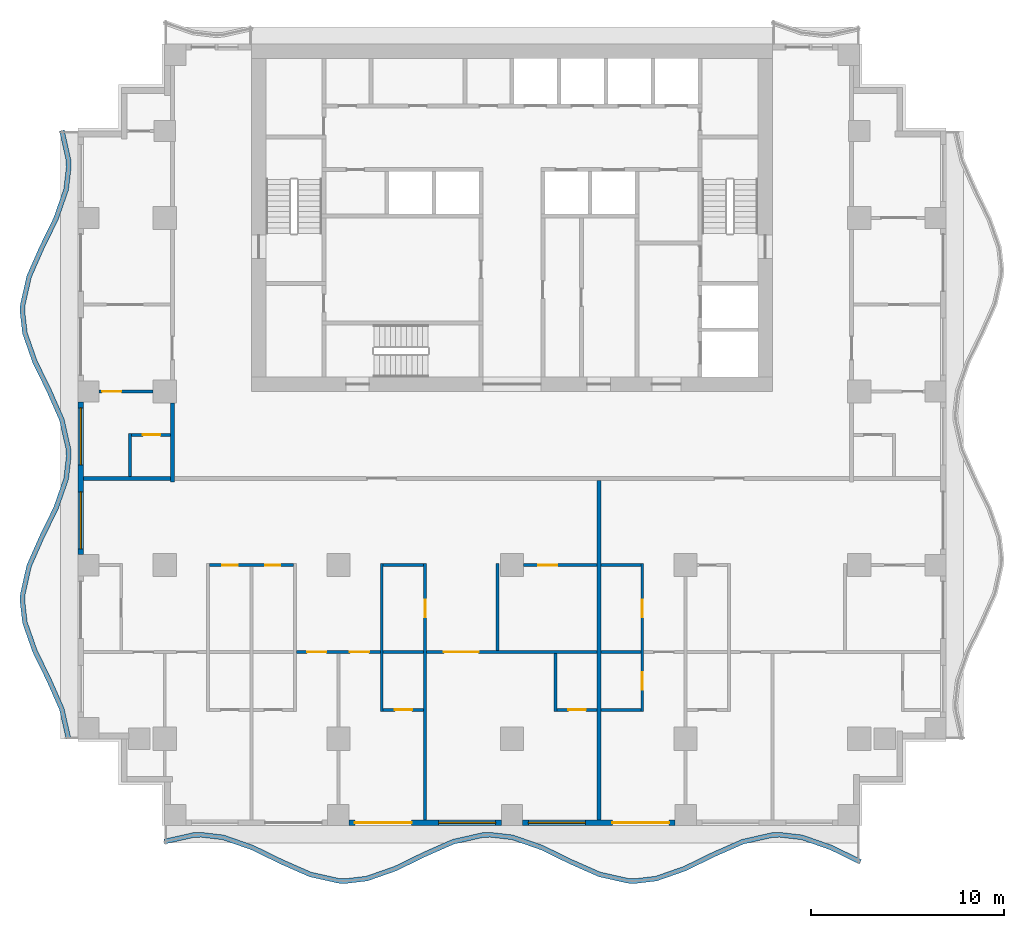
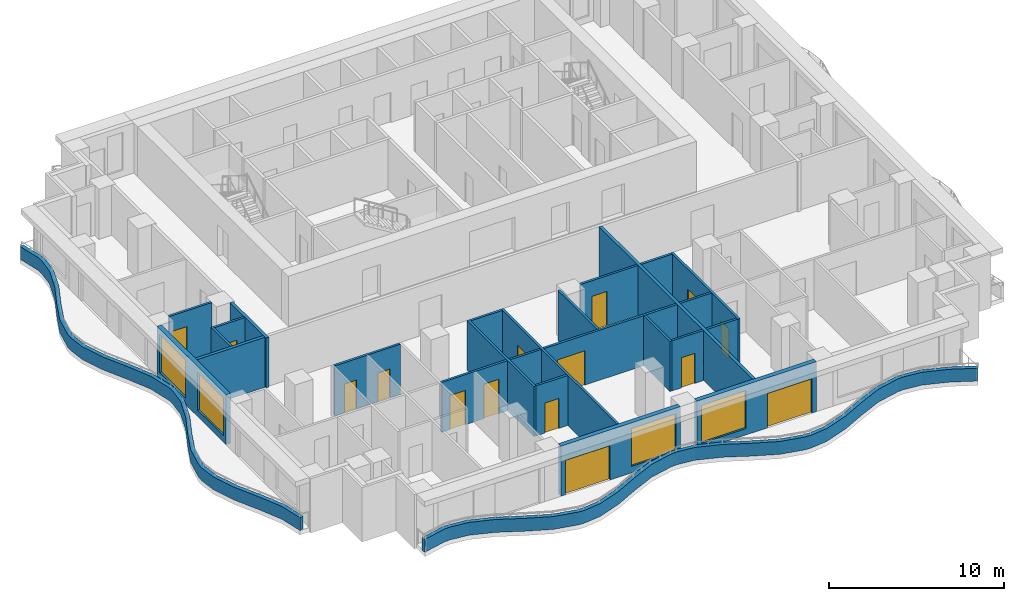
# One storey, part 2 of 10: 27 walls, 15 doors, 4 windows, 19 openings.
"""IFC4 building model written with IfcOpenShell, lengths in metres."""

from ifc_helpers import new_model, si_unit, direction, frame, frame_2d, origin, place, context, subcontext, project, spatial, polyline, rectangle, outline, extrude, material, layer, layer_set, type_object, element, fill, save


model = new_model("IFC4")

# Units and contexts
model_context = context("Model", 3, precision=1e-05, world=origin(), true_north=direction((0.0, 1.0)))
body_context = subcontext(model_context, "Body", "Model", "MODEL_VIEW")
ifc_project = project(units=[si_unit("LENGTHUNIT", "METRE"), si_unit("AREAUNIT", "SQUARE_METRE"), si_unit("VOLUMEUNIT", "CUBIC_METRE"), si_unit("PLANEANGLEUNIT", "RADIAN"), si_unit("MASSUNIT", "GRAM", prefix="KILO")], contexts=[model_context])

# Site, building, storey
site_placement = place(None, origin())
site = spatial("IfcSite", under=ifc_project, at=site_placement, CompositionType="ELEMENT")
building_placement = place(site_placement, origin())
building = spatial("IfcBuilding", under=site, at=building_placement, Name="Orbiselva Terraces", CompositionType="ELEMENT")
storey_placement = place(building_placement, frame((0.0, 0.0, 163.0)))
storey = spatial("IfcBuildingStorey", under=building, at=storey_placement, Name="L41", CompositionType="ELEMENT", Elevation=163.0)

# Walls
ifc_material_1 = material(Name="Concrete C40/50", Category="concrete")
ifc_layer_1 = layer(ifc_material_1, 0.25)
ifc_layer_set_1 = layer_set([ifc_layer_1], Name="Concrete C40/50")
wall_type_1 = type_object("IfcWallType", Name="ENV-PLANTER-250x900", PredefinedType="USERDEFINED", material=ifc_layer_set_1)
wall_1_placement = place(storey_placement, origin())
element("IfcWall", 1, at=wall_1_placement, inside=storey, type_object=wall_type_1, Name="Balcony planter L41 S", ObjectType="PLANTER", PredefinedType="USERDEFINED", context=body_context, shape_type="SweptSolid", body=[
    extrude(outline(polyline([(-18.0, -18.951472), (-16.5, -18.614774), (-16.125, -18.6), (-15.0, -18.730792), (-13.5, -19.255211), (-12.0, -19.987721), (-10.5, -20.648528), (-9.0, -20.985226), (-8.625, -21.0), (-7.5, -20.869208), (-6.0, -20.344789), (-4.5, -19.612279), (-3.0, -18.951472), (-1.5, -18.614774), (-1.125, -18.6), (0.0, -18.730792), (1.5, -19.255211), (3.0, -19.987721), (4.5, -20.648528), (6.0, -20.985226), (6.375, -21.0), (7.5, -20.869208), (9.0, -20.344789), (10.5, -19.612279), (12.0, -18.951472), (13.5, -18.614774), (13.875, -18.6), (15.0, -18.730792), (16.5, -19.255211), (18.0, -19.987721), (18.109703, -19.763076), (16.59644, -19.024089), (15.056371, -18.485662), (13.884572, -18.349429), (13.467435, -18.365863), (11.921492, -18.712874), (10.394714, -19.385477), (8.90356, -20.113667), (7.443629, -20.624078), (6.365428, -20.749429), (6.032565, -20.736315), (4.578508, -20.40993), (3.105286, -19.760919), (1.59644, -19.024089), (0.056371, -18.485662), (-1.115428, -18.349429), (-1.532565, -18.365863), (-3.078508, -18.712874), (-4.605286, -19.385477), (-6.09644, -20.113667), (-7.556371, -20.624078), (-8.634572, -20.749429), (-8.967435, -20.736315), (-10.421492, -20.40993), (-11.894714, -19.760919), (-13.40356, -19.024089), (-14.943629, -18.485662), (-16.115428, -18.349429), (-16.532565, -18.365863), (-18.054754, -18.707542), (-18.0, -18.951472)])), origin(), (0.0, 0.0, 1.0), 0.9),
])
wall_2_placement = place(storey_placement, origin())
element("IfcWall", 2, at=wall_2_placement, inside=storey, type_object=wall_type_1, Name="Balcony planter L41 W", ObjectType="PLANTER", PredefinedType="USERDEFINED", context=body_context, shape_type="SweptSolid", body=[
    extrude(outline(polyline([(-23.451472, 18.0), (-23.114774, 16.5), (-23.1, 16.125), (-23.230792, 15.0), (-23.755211, 13.5), (-24.487721, 12.0), (-25.148528, 10.5), (-25.485226, 9.0), (-25.5, 8.625), (-25.369208, 7.5), (-24.844789, 6.0), (-24.112279, 4.5), (-23.451472, 3.0), (-23.114774, 1.5), (-23.1, 1.125), (-23.230792, 0.0), (-23.755211, -1.5), (-24.487721, -3.0), (-25.148528, -4.5), (-25.485226, -6.0), (-25.5, -6.375), (-25.369208, -7.5), (-24.844789, -9.0), (-24.112279, -10.5), (-23.451472, -12.0), (-23.114774, -13.5), (-22.870844, -13.445246), (-23.212874, -11.921492), (-23.885477, -10.394714), (-24.613667, -8.90356), (-25.124078, -7.443629), (-25.249429, -6.365428), (-25.236315, -6.032565), (-24.90993, -4.578508), (-24.260919, -3.105286), (-23.524089, -1.59644), (-22.985662, -0.056371), (-22.849429, 1.115428), (-22.865863, 1.532565), (-23.212874, 3.078508), (-23.885477, 4.605286), (-24.613667, 6.09644), (-25.124078, 7.556371), (-25.249429, 8.634572), (-25.236315, 8.967435), (-24.90993, 10.421492), (-24.260919, 11.894714), (-23.524089, 13.40356), (-22.985662, 14.943629), (-22.849429, 16.115428), (-22.865863, 16.532565), (-23.207542, 18.054754), (-23.451472, 18.0)])), origin(), (0.0, 0.0, 1.0), 0.9),
])

# Wall, openings, door, window
ifc_material_2 = material(Name="Terracotta cladding on masonry backing", Category="masonry")
ifc_layer_2 = layer(ifc_material_2, 0.3)
ifc_layer_set_2 = layer_set([ifc_layer_2], Name="Terracotta cladding on masonry backing")
wall_type_2 = type_object("IfcWallType", Name="ENV-WALL-TERRACOTTA-300", PredefinedType="SOLIDWALL", material=ifc_layer_set_2)
wall_3_placement = place(storey_placement, frame((-0.55, -17.85, 0.0), z_axis=(0.0, 0.0, 1.0), x_axis=(-1.0, 0.0, 0.0)))
wall_3 = element("IfcWall", 3, at=wall_3_placement, inside=storey, type_object=wall_type_2, Name="Facade wall L41 S", PredefinedType="SOLIDWALL", context=body_context, shape_type="SweptSolid", body=[
    extrude(rectangle(XDim=7.9, YDim=0.3, at=frame_2d((3.95, 0.0))), origin(), (0.0, 0.0, 1.0), 3.5),
])
opening_1_placement = place(wall_3_placement, frame((4.65, 0.0, 0.0)))
opening_1 = element("IfcOpeningElement", 4, at=opening_1_placement, cuts=wall_3, Name="Opening Z3-D-E01", PredefinedType="OPENING", context=body_context, shape_type="SweptSolid", body=[
    extrude(rectangle(XDim=2.95, YDim=2.4, at=frame_2d((1.475, 1.2))), frame((0.0, 0.16, 0.0), z_axis=(0.0, -1.0, 0.0), x_axis=(1.0, 0.0, 0.0)), (0.0, 0.0, 1.0), 0.32),
])
opening_2_placement = place(wall_3_placement, frame((0.3, 0.0, 0.45)))
opening_2 = element("IfcOpeningElement", 5, at=opening_2_placement, cuts=wall_3, Name="Opening WN12", PredefinedType="OPENING", context=body_context, shape_type="SweptSolid", body=[
    extrude(rectangle(XDim=2.95, YDim=2.65, at=frame_2d((1.475, 1.325))), frame((0.0, 0.16, 0.0), z_axis=(0.0, -1.0, 0.0), x_axis=(1.0, 0.0, 0.0)), (0.0, 0.0, 1.0), 0.32),
])
ifc_material_3 = material(Name="Clear low-e glazing in aluminium frame", Category="aluminium")
door_type_1 = type_object("IfcDoorType", Name="BALCONY DOOR 2950 X 2400", OperationType="DOUBLE_DOOR_SLIDING", PredefinedType="DOOR", material=ifc_material_3)
door_1_placement = place(opening_1_placement, origin())
door_1 = element("IfcDoor", 6, at=door_1_placement, inside=storey, type_object=door_type_1, Name="Z3-D-E01", OperationType="SINGLE_SWING_LEFT", OverallHeight=2.4, OverallWidth=2.95, PredefinedType="DOOR", context=body_context, shape_type="SweptSolid", body=[
    extrude(rectangle(XDim=2.95, YDim=2.4, at=frame_2d((1.475, 1.2))), frame((0.0, 0.025, 0.0), z_axis=(0.0, -1.0, 0.0), x_axis=(1.0, 0.0, 0.0)), (0.0, 0.0, 1.0), 0.05),
])
fill(opening_1, door_1)
window_type = type_object("IfcWindowType", Name="WINDOW 2950 X 2650 S450", PartitioningType="TRIPLE_PANEL_VERTICAL", PredefinedType="WINDOW", material=ifc_material_3)
window_1_placement = place(opening_2_placement, origin())
window_1 = element("IfcWindow", 7, at=window_1_placement, inside=storey, type_object=window_type, Name="Window L41 S", OverallHeight=2.65, OverallWidth=2.95, PartitioningType="SINGLE_PANEL", PredefinedType="WINDOW", context=body_context, shape_type="SweptSolid", body=[
    extrude(rectangle(XDim=2.95, YDim=2.65, at=frame_2d((1.475, 1.325))), frame((0.0, 0.03, 0.0), z_axis=(0.0, -1.0, 0.0), x_axis=(1.0, 0.0, 0.0)), (0.0, 0.0, 1.0), 0.06),
])
fill(opening_2, window_1)

wall_4_placement = place(storey_placement, frame((8.45, -17.85, 0.0), z_axis=(0.0, 0.0, 1.0), x_axis=(-1.0, 0.0, 0.0)))
wall_4 = element("IfcWall", 8, at=wall_4_placement, inside=storey, type_object=wall_type_2, Name="Facade wall L41 S", PredefinedType="SOLIDWALL", context=body_context, shape_type="SweptSolid", body=[
    extrude(rectangle(XDim=7.9, YDim=0.3, at=frame_2d((3.95, 0.0))), origin(), (0.0, 0.0, 1.0), 3.5),
])
opening_3_placement = place(wall_4_placement, frame((4.65, 0.0, 0.45)))
opening_3 = element("IfcOpeningElement", 9, at=opening_3_placement, cuts=wall_4, Name="Opening WN12", PredefinedType="OPENING", context=body_context, shape_type="SweptSolid", body=[
    extrude(rectangle(XDim=2.95, YDim=2.65, at=frame_2d((1.475, 1.325))), frame((0.0, 0.16, 0.0), z_axis=(0.0, -1.0, 0.0), x_axis=(1.0, 0.0, 0.0)), (0.0, 0.0, 1.0), 0.32),
])
opening_4_placement = place(wall_4_placement, frame((0.3, 0.0, 0.0)))
opening_4 = element("IfcOpeningElement", 10, at=opening_4_placement, cuts=wall_4, Name="Opening Z3-D-E02", PredefinedType="OPENING", context=body_context, shape_type="SweptSolid", body=[
    extrude(rectangle(XDim=2.95, YDim=2.4, at=frame_2d((1.475, 1.2))), frame((0.0, 0.16, 0.0), z_axis=(0.0, -1.0, 0.0), x_axis=(1.0, 0.0, 0.0)), (0.0, 0.0, 1.0), 0.32),
])
door_2_placement = place(opening_4_placement, origin())
door_2 = element("IfcDoor", 11, at=door_2_placement, inside=storey, type_object=door_type_1, Name="Z3-D-E02", OperationType="SINGLE_SWING_LEFT", OverallHeight=2.4, OverallWidth=2.95, PredefinedType="DOOR", context=body_context, shape_type="SweptSolid", body=[
    extrude(rectangle(XDim=2.95, YDim=2.4, at=frame_2d((1.475, 1.2))), frame((0.0, 0.025, 0.0), z_axis=(0.0, -1.0, 0.0), x_axis=(1.0, 0.0, 0.0)), (0.0, 0.0, 1.0), 0.05),
])
fill(opening_4, door_2)
window_2_placement = place(opening_3_placement, origin())
window_2 = element("IfcWindow", 12, at=window_2_placement, inside=storey, type_object=window_type, Name="Window L41 S", OverallHeight=2.65, OverallWidth=2.95, PartitioningType="SINGLE_PANEL", PredefinedType="WINDOW", context=body_context, shape_type="SweptSolid", body=[
    extrude(rectangle(XDim=2.95, YDim=2.65, at=frame_2d((1.475, 1.325))), frame((0.0, 0.03, 0.0), z_axis=(0.0, -1.0, 0.0), x_axis=(1.0, 0.0, 0.0)), (0.0, 0.0, 1.0), 0.06),
])
fill(opening_3, window_2)

# Wall, openings, windows
wall_5_placement = place(storey_placement, frame((-22.35, -3.95, 0.0), z_axis=(0.0, 0.0, 1.0), x_axis=(0.0, 1.0, 0.0)))
wall_5 = element("IfcWall", 13, at=wall_5_placement, inside=storey, type_object=wall_type_2, Name="Facade wall L41 W", PredefinedType="SOLIDWALL", context=body_context, shape_type="SweptSolid", body=[
    extrude(rectangle(XDim=7.9, YDim=0.3, at=frame_2d((3.95, 0.0))), origin(), (0.0, 0.0, 1.0), 3.5),
])
opening_5_placement = place(wall_5_placement, frame((4.65, 0.0, 0.45)))
opening_5 = element("IfcOpeningElement", 14, at=opening_5_placement, cuts=wall_5, Name="Opening WN12", PredefinedType="OPENING", context=body_context, shape_type="SweptSolid", body=[
    extrude(rectangle(XDim=2.95, YDim=2.65, at=frame_2d((1.475, 1.325))), frame((0.0, 0.16, 0.0), z_axis=(0.0, -1.0, 0.0), x_axis=(1.0, 0.0, 0.0)), (0.0, 0.0, 1.0), 0.32),
])
opening_6_placement = place(wall_5_placement, frame((0.3, 0.0, 0.45)))
opening_6 = element("IfcOpeningElement", 15, at=opening_6_placement, cuts=wall_5, Name="Opening WN12", PredefinedType="OPENING", context=body_context, shape_type="SweptSolid", body=[
    extrude(rectangle(XDim=2.95, YDim=2.65, at=frame_2d((1.475, 1.325))), frame((0.0, 0.16, 0.0), z_axis=(0.0, -1.0, 0.0), x_axis=(1.0, 0.0, 0.0)), (0.0, 0.0, 1.0), 0.32),
])
window_3_placement = place(opening_5_placement, origin())
window_3 = element("IfcWindow", 16, at=window_3_placement, inside=storey, type_object=window_type, Name="Window L41 W", OverallHeight=2.65, OverallWidth=2.95, PartitioningType="SINGLE_PANEL", PredefinedType="WINDOW", context=body_context, shape_type="SweptSolid", body=[
    extrude(rectangle(XDim=2.95, YDim=2.65, at=frame_2d((1.475, 1.325))), frame((0.0, 0.03, 0.0), z_axis=(0.0, -1.0, 0.0), x_axis=(1.0, 0.0, 0.0)), (0.0, 0.0, 1.0), 0.06),
])
fill(opening_5, window_3)
window_4_placement = place(opening_6_placement, origin())
window_4 = element("IfcWindow", 17, at=window_4_placement, inside=storey, type_object=window_type, Name="Window L41 W", OverallHeight=2.65, OverallWidth=2.95, PartitioningType="SINGLE_PANEL", PredefinedType="WINDOW", context=body_context, shape_type="SweptSolid", body=[
    extrude(rectangle(XDim=2.95, YDim=2.65, at=frame_2d((1.475, 1.325))), frame((0.0, 0.03, 0.0), z_axis=(0.0, -1.0, 0.0), x_axis=(1.0, 0.0, 0.0)), (0.0, 0.0, 1.0), 0.06),
])
fill(opening_6, window_4)

# Wall
ifc_material_4 = material(Name="Plasterboard on steel stud partition", Category="steel")
ifc_layer_3 = layer(ifc_material_4, 0.2)
ifc_layer_set_3 = layer_set([ifc_layer_3], Name="Plasterboard on steel stud partition")
wall_type_3 = type_object("IfcWallType", Name="UNIT-ENTRANCE-WALL-200", PredefinedType="PARTITIONING", material=ifc_layer_set_3)
wall_6_placement = place(storey_placement, frame((-17.6, -0.2, 0.0), z_axis=(0.0, 0.0, 1.0), x_axis=(0.0, 1.0, 0.0)))
element("IfcWall", 18, at=wall_6_placement, inside=storey, type_object=wall_type_3, Name="PARTITION L41-040", PredefinedType="PARTITIONING", context=body_context, shape_type="SweptSolid", body=[
    extrude(rectangle(XDim=4.1, YDim=0.2, at=frame_2d((2.05, 0.0))), origin(), (0.0, 0.0, 1.0), 3.5),
])

# Wall, opening, door
ifc_layer_4 = layer(ifc_material_4, 0.15)
ifc_layer_set_4 = layer_set([ifc_layer_4], Name="Plasterboard on steel stud partition")
wall_type_4 = type_object("IfcWallType", Name="UNIT-PARTITION-150", PredefinedType="PARTITIONING", material=ifc_layer_set_4)
wall_7_placement = place(storey_placement, frame((-6.675, -12.0, 0.0), z_axis=(0.0, 0.0, 1.0), x_axis=(1.0, 0.0, 0.0)))
wall_7 = element("IfcWall", 19, at=wall_7_placement, inside=storey, type_object=wall_type_4, Name="PARTITION L41-003", PredefinedType="PARTITIONING", context=body_context, shape_type="SweptSolid", body=[
    extrude(rectangle(XDim=2.1, YDim=0.15, at=frame_2d((1.05, 0.0))), origin(), (0.0, 0.0, 1.0), 3.5),
])
opening_7_placement = place(wall_7_placement, frame((0.6, 0.0, 0.0)))
opening_7 = element("IfcOpeningElement", 20, at=opening_7_placement, cuts=wall_7, Name="Opening Z3-D-20", PredefinedType="OPENING", context=body_context, shape_type="SweptSolid", body=[
    extrude(rectangle(XDim=0.9, YDim=2.1, at=frame_2d((0.45, 1.05))), frame((0.0, 0.085, 0.0), z_axis=(0.0, -1.0, 0.0), x_axis=(1.0, 0.0, 0.0)), (0.0, 0.0, 1.0), 0.17),
])
ifc_material_5 = material(Name="Painted timber door leaf", Category="wood")
door_type_2 = type_object("IfcDoorType", Name="BATH DOOR 900", OperationType="NOTDEFINED", PredefinedType="DOOR", material=ifc_material_5)
door_3_placement = place(opening_7_placement, origin())
door_3 = element("IfcDoor", 21, at=door_3_placement, inside=storey, type_object=door_type_2, Name="Z3-D-20", OperationType="SINGLE_SWING_LEFT", OverallHeight=2.1, OverallWidth=0.9, PredefinedType="DOOR", context=body_context, shape_type="SweptSolid", body=[
    extrude(rectangle(XDim=0.9, YDim=2.1, at=frame_2d((0.45, 1.05))), frame((0.0, 0.025, 0.0), z_axis=(0.0, -1.0, 0.0), x_axis=(1.0, 0.0, 0.0)), (0.0, 0.0, 1.0), 0.05),
])
fill(opening_7, door_3)

wall_8_placement = place(storey_placement, frame((2.325, -12.0, 0.0), z_axis=(0.0, 0.0, 1.0), x_axis=(1.0, 0.0, 0.0)))
wall_8 = element("IfcWall", 22, at=wall_8_placement, inside=storey, type_object=wall_type_4, Name="PARTITION L41-004", PredefinedType="PARTITIONING", context=body_context, shape_type="SweptSolid", body=[
    extrude(rectangle(XDim=2.075, YDim=0.15, at=frame_2d((1.0375, 0.0))), origin(), (0.0, 0.0, 1.0), 3.5),
])
opening_8_placement = place(wall_8_placement, frame((0.6, 0.0, 0.0)))
opening_8 = element("IfcOpeningElement", 23, at=opening_8_placement, cuts=wall_8, Name="Opening Z3-D-18", PredefinedType="OPENING", context=body_context, shape_type="SweptSolid", body=[
    extrude(rectangle(XDim=0.9, YDim=2.1, at=frame_2d((0.45, 1.05))), frame((0.0, 0.085, 0.0), z_axis=(0.0, -1.0, 0.0), x_axis=(1.0, 0.0, 0.0)), (0.0, 0.0, 1.0), 0.17),
])
door_4_placement = place(opening_8_placement, origin())
door_4 = element("IfcDoor", 24, at=door_4_placement, inside=storey, type_object=door_type_2, Name="Z3-D-18", OperationType="SINGLE_SWING_RIGHT", OverallHeight=2.1, OverallWidth=0.9, PredefinedType="DOOR", context=body_context, shape_type="SweptSolid", body=[
    extrude(rectangle(XDim=0.9, YDim=2.1, at=frame_2d((0.45, 1.05))), frame((0.0, 0.025, 0.0), z_axis=(0.0, -1.0, 0.0), x_axis=(1.0, 0.0, 0.0)), (0.0, 0.0, 1.0), 0.05),
])
fill(opening_8, door_4)

# Wall
wall_9_placement = place(storey_placement, frame((4.6, -12.0, 0.0), z_axis=(0.0, 0.0, 1.0), x_axis=(1.0, 0.0, 0.0)))
element("IfcWall", 25, at=wall_9_placement, inside=storey, type_object=wall_type_4, Name="PARTITION L41-005", PredefinedType="PARTITIONING", context=body_context, shape_type="SweptSolid", body=[
    extrude(rectangle(XDim=2.075, YDim=0.15, at=frame_2d((1.0375, 0.0))), origin(), (0.0, 0.0, 1.0), 3.5),
])

# Wall, openings, doors
wall_10_placement = place(storey_placement, frame((-6.825, -9.0, 0.0), z_axis=(0.0, 0.0, 1.0), x_axis=(-1.0, 0.0, 0.0)))
wall_10 = element("IfcWall", 26, at=wall_10_placement, inside=storey, type_object=wall_type_4, Name="PARTITION L41-011", PredefinedType="PARTITIONING", context=body_context, shape_type="SweptSolid", body=[
    extrude(rectangle(XDim=4.35, YDim=0.15, at=frame_2d((2.175, 0.0))), origin(), (0.0, 0.0, 1.0), 3.5),
])
opening_9_placement = place(wall_10_placement, frame((0.575, 0.0, 0.0)))
opening_9 = element("IfcOpeningElement", 27, at=opening_9_placement, cuts=wall_10, Name="Opening Z3-D-19", PredefinedType="OPENING", context=body_context, shape_type="SweptSolid", body=[
    extrude(rectangle(XDim=1.0, YDim=2.4, at=frame_2d((0.5, 1.2))), frame((0.0, 0.085, 0.0), z_axis=(0.0, -1.0, 0.0), x_axis=(1.0, 0.0, 0.0)), (0.0, 0.0, 1.0), 0.17),
])
opening_10_placement = place(wall_10_placement, frame((2.8, 0.0, 0.0)))
opening_10 = element("IfcOpeningElement", 28, at=opening_10_placement, cuts=wall_10, Name="Opening Z3-D-21", PredefinedType="OPENING", context=body_context, shape_type="SweptSolid", body=[
    extrude(rectangle(XDim=1.0, YDim=2.4, at=frame_2d((0.5, 1.2))), frame((0.0, 0.085, 0.0), z_axis=(0.0, -1.0, 0.0), x_axis=(1.0, 0.0, 0.0)), (0.0, 0.0, 1.0), 0.17),
])
door_type_3 = type_object("IfcDoorType", Name="ROOM DOOR 1000", OperationType="NOTDEFINED", PredefinedType="DOOR", material=ifc_material_5)
door_5_placement = place(opening_9_placement, origin())
door_5 = element("IfcDoor", 29, at=door_5_placement, inside=storey, type_object=door_type_3, Name="Z3-D-19", OperationType="SINGLE_SWING_LEFT", OverallHeight=2.4, OverallWidth=1.0, PredefinedType="DOOR", context=body_context, shape_type="SweptSolid", body=[
    extrude(rectangle(XDim=1.0, YDim=2.4, at=frame_2d((0.5, 1.2))), frame((0.0, 0.025, 0.0), z_axis=(0.0, -1.0, 0.0), x_axis=(1.0, 0.0, 0.0)), (0.0, 0.0, 1.0), 0.05),
])
fill(opening_9, door_5)
door_6_placement = place(opening_10_placement, origin())
door_6 = element("IfcDoor", 30, at=door_6_placement, inside=storey, type_object=door_type_3, Name="Z3-D-21", OperationType="SINGLE_SWING_RIGHT", OverallHeight=2.4, OverallWidth=1.0, PredefinedType="DOOR", context=body_context, shape_type="SweptSolid", body=[
    extrude(rectangle(XDim=1.0, YDim=2.4, at=frame_2d((0.5, 1.2))), frame((0.0, 0.025, 0.0), z_axis=(0.0, -1.0, 0.0), x_axis=(1.0, 0.0, 0.0)), (0.0, 0.0, 1.0), 0.05),
])
fill(opening_10, door_6)

# Wall
wall_11_placement = place(storey_placement, frame((-6.675, -9.0, 0.0), z_axis=(0.0, 0.0, 1.0), x_axis=(1.0, 0.0, 0.0)))
element("IfcWall", 31, at=wall_11_placement, inside=storey, type_object=wall_type_4, Name="PARTITION L41-012", PredefinedType="PARTITIONING", context=body_context, shape_type="SweptSolid", body=[
    extrude(rectangle(XDim=2.1, YDim=0.15, at=frame_2d((1.05, 0.0))), origin(), (0.0, 0.0, 1.0), 3.5),
])

# Wall, opening, door
wall_12_placement = place(storey_placement, frame((4.4, -9.0, 0.0), z_axis=(0.0, 0.0, 1.0), x_axis=(-1.0, 0.0, 0.0)))
wall_12 = element("IfcWall", 32, at=wall_12_placement, inside=storey, type_object=wall_type_4, Name="PARTITION L41-013", PredefinedType="PARTITIONING", context=body_context, shape_type="SweptSolid", body=[
    extrude(rectangle(XDim=8.825, YDim=0.15, at=frame_2d((4.4125, 0.0))), origin(), (0.0, 0.0, 1.0), 3.5),
])
opening_11_placement = place(wall_12_placement, frame((6.125, 0.0, 0.0)))
opening_11 = element("IfcOpeningElement", 33, at=opening_11_placement, cuts=wall_12, Name="Opening Z3-D-17", PredefinedType="OPENING", context=body_context, shape_type="SweptSolid", body=[
    extrude(rectangle(XDim=1.8, YDim=2.4, at=frame_2d((0.9, 1.2))), frame((0.0, 0.085, 0.0), z_axis=(0.0, -1.0, 0.0), x_axis=(1.0, 0.0, 0.0)), (0.0, 0.0, 1.0), 0.17),
])
door_type_4 = type_object("IfcDoorType", Name="DOUBLE DOOR 1800", OperationType="NOTDEFINED", PredefinedType="DOOR", material=ifc_material_5)
door_7_placement = place(opening_11_placement, origin())
door_7 = element("IfcDoor", 34, at=door_7_placement, inside=storey, type_object=door_type_4, Name="Z3-D-17", OperationType="DOUBLE_DOOR_SINGLE_SWING", OverallHeight=2.4, OverallWidth=1.8, PredefinedType="DOOR", context=body_context, shape_type="SweptSolid", body=[
    extrude(rectangle(XDim=1.8, YDim=2.4, at=frame_2d((0.9, 1.2))), frame((0.0, 0.025, 0.0), z_axis=(0.0, -1.0, 0.0), x_axis=(1.0, 0.0, 0.0)), (0.0, 0.0, 1.0), 0.05),
])
fill(opening_11, door_7)

# Wall
wall_13_placement = place(storey_placement, frame((4.6, -9.0, 0.0), z_axis=(0.0, 0.0, 1.0), x_axis=(1.0, 0.0, 0.0)))
element("IfcWall", 35, at=wall_13_placement, inside=storey, type_object=wall_type_4, Name="PARTITION L41-014", PredefinedType="PARTITIONING", context=body_context, shape_type="SweptSolid", body=[
    extrude(rectangle(XDim=2.075, YDim=0.15, at=frame_2d((1.0375, 0.0))), origin(), (0.0, 0.0, 1.0), 3.5),
])

# Wall, openings, doors
wall_14_placement = place(storey_placement, frame((-11.325, -4.5, 0.0), z_axis=(0.0, 0.0, 1.0), x_axis=(-1.0, 0.0, 0.0)))
wall_14 = element("IfcWall", 36, at=wall_14_placement, inside=storey, type_object=wall_type_4, Name="PARTITION L41-019", PredefinedType="PARTITIONING", context=body_context, shape_type="SweptSolid", body=[
    extrude(rectangle(XDim=4.35, YDim=0.15, at=frame_2d((2.175, 0.0))), origin(), (0.0, 0.0, 1.0), 3.5),
])
opening_12_placement = place(wall_14_placement, frame((0.675, 0.0, 0.0)))
opening_12 = element("IfcOpeningElement", 37, at=opening_12_placement, cuts=wall_14, Name="Opening Z3-D-14", PredefinedType="OPENING", context=body_context, shape_type="SweptSolid", body=[
    extrude(rectangle(XDim=0.8, YDim=2.0, at=frame_2d((0.4, 1.0))), frame((0.0, 0.085, 0.0), z_axis=(0.0, -1.0, 0.0), x_axis=(1.0, 0.0, 0.0)), (0.0, 0.0, 1.0), 0.17),
])
opening_13_placement = place(wall_14_placement, frame((2.9, 0.0, 0.0)))
opening_13 = element("IfcOpeningElement", 38, at=opening_13_placement, cuts=wall_14, Name="Opening Z3-D-15", PredefinedType="OPENING", context=body_context, shape_type="SweptSolid", body=[
    extrude(rectangle(XDim=0.8, YDim=2.0, at=frame_2d((0.4, 1.0))), frame((0.0, 0.085, 0.0), z_axis=(0.0, -1.0, 0.0), x_axis=(1.0, 0.0, 0.0)), (0.0, 0.0, 1.0), 0.17),
])
door_type_5 = type_object("IfcDoorType", Name="STORE DOOR 800", OperationType="NOTDEFINED", PredefinedType="DOOR", material=ifc_material_5)
door_8_placement = place(opening_12_placement, origin())
door_8 = element("IfcDoor", 39, at=door_8_placement, inside=storey, type_object=door_type_5, Name="Z3-D-14", OperationType="SINGLE_SWING_LEFT", OverallHeight=2.0, OverallWidth=0.8, PredefinedType="DOOR", context=body_context, shape_type="SweptSolid", body=[
    extrude(rectangle(XDim=0.8, YDim=2.0, at=frame_2d((0.4, 1.0))), frame((0.0, 0.025, 0.0), z_axis=(0.0, -1.0, 0.0), x_axis=(1.0, 0.0, 0.0)), (0.0, 0.0, 1.0), 0.05),
])
fill(opening_12, door_8)
door_9_placement = place(opening_13_placement, origin())
door_9 = element("IfcDoor", 40, at=door_9_placement, inside=storey, type_object=door_type_5, Name="Z3-D-15", OperationType="SINGLE_SWING_RIGHT", OverallHeight=2.0, OverallWidth=0.8, PredefinedType="DOOR", context=body_context, shape_type="SweptSolid", body=[
    extrude(rectangle(XDim=0.8, YDim=2.0, at=frame_2d((0.4, 1.0))), frame((0.0, 0.025, 0.0), z_axis=(0.0, -1.0, 0.0), x_axis=(1.0, 0.0, 0.0)), (0.0, 0.0, 1.0), 0.05),
])
fill(opening_13, door_9)

# Wall
wall_15_placement = place(storey_placement, frame((-6.675, -4.5, 0.0), z_axis=(0.0, 0.0, 1.0), x_axis=(1.0, 0.0, 0.0)))
element("IfcWall", 41, at=wall_15_placement, inside=storey, type_object=wall_type_4, Name="PARTITION L41-020", PredefinedType="PARTITIONING", context=body_context, shape_type="SweptSolid", body=[
    extrude(rectangle(XDim=2.1, YDim=0.15, at=frame_2d((1.05, 0.0))), origin(), (0.0, 0.0, 1.0), 3.5),
])

# Wall, opening, door
wall_16_placement = place(storey_placement, frame((4.4, -4.5, 0.0), z_axis=(0.0, 0.0, 1.0), x_axis=(-1.0, 0.0, 0.0)))
wall_16 = element("IfcWall", 42, at=wall_16_placement, inside=storey, type_object=wall_type_4, Name="PARTITION L41-021", PredefinedType="PARTITIONING", context=body_context, shape_type="SweptSolid", body=[
    extrude(rectangle(XDim=3.8, YDim=0.15, at=frame_2d((1.9, 0.0))), origin(), (0.0, 0.0, 1.0), 3.5),
])
opening_14_placement = place(wall_16_placement, frame((2.05, 0.0, 0.0)))
opening_14 = element("IfcOpeningElement", 43, at=opening_14_placement, cuts=wall_16, Name="Opening Z3-D-12", PredefinedType="OPENING", context=body_context, shape_type="SweptSolid", body=[
    extrude(rectangle(XDim=1.0, YDim=2.4, at=frame_2d((0.5, 1.2))), frame((0.0, 0.085, 0.0), z_axis=(0.0, -1.0, 0.0), x_axis=(1.0, 0.0, 0.0)), (0.0, 0.0, 1.0), 0.17),
])
door_10_placement = place(opening_14_placement, origin())
door_10 = element("IfcDoor", 44, at=door_10_placement, inside=storey, type_object=door_type_3, Name="Z3-D-12", OperationType="SINGLE_SWING_RIGHT", OverallHeight=2.4, OverallWidth=1.0, PredefinedType="DOOR", context=body_context, shape_type="SweptSolid", body=[
    extrude(rectangle(XDim=1.0, YDim=2.4, at=frame_2d((0.5, 1.2))), frame((0.0, 0.025, 0.0), z_axis=(0.0, -1.0, 0.0), x_axis=(1.0, 0.0, 0.0)), (0.0, 0.0, 1.0), 0.05),
])
fill(opening_14, door_10)

# Wall
wall_17_placement = place(storey_placement, frame((4.6, -4.5, 0.0), z_axis=(0.0, 0.0, 1.0), x_axis=(1.0, 0.0, 0.0)))
element("IfcWall", 45, at=wall_17_placement, inside=storey, type_object=wall_type_4, Name="PARTITION L41-022", PredefinedType="PARTITIONING", context=body_context, shape_type="SweptSolid", body=[
    extrude(rectangle(XDim=2.075, YDim=0.15, at=frame_2d((1.0375, 0.0))), origin(), (0.0, 0.0, 1.0), 3.5),
])

# Wall, opening, door
wall_18_placement = place(storey_placement, frame((-17.7, 2.25, 0.0), z_axis=(0.0, 0.0, 1.0), x_axis=(-1.0, 0.0, 0.0)))
wall_18 = element("IfcWall", 46, at=wall_18_placement, inside=storey, type_object=wall_type_4, Name="PARTITION L41-028", PredefinedType="PARTITIONING", context=body_context, shape_type="SweptSolid", body=[
    extrude(rectangle(XDim=2.03, YDim=0.15, at=frame_2d((1.015, 0.0))), origin(), (0.0, 0.0, 1.0), 3.5),
])
opening_15_placement = place(wall_18_placement, frame((0.53, 0.0, 0.0)))
opening_15 = element("IfcOpeningElement", 47, at=opening_15_placement, cuts=wall_18, Name="Opening Z3-D-02", PredefinedType="OPENING", context=body_context, shape_type="SweptSolid", body=[
    extrude(rectangle(XDim=0.9, YDim=2.1, at=frame_2d((0.45, 1.05))), frame((0.0, 0.085, 0.0), z_axis=(0.0, -1.0, 0.0), x_axis=(1.0, 0.0, 0.0)), (0.0, 0.0, 1.0), 0.17),
])
door_11_placement = place(opening_15_placement, origin())
door_11 = element("IfcDoor", 48, at=door_11_placement, inside=storey, type_object=door_type_2, Name="Z3-D-02", OperationType="SINGLE_SWING_LEFT", OverallHeight=2.1, OverallWidth=0.9, PredefinedType="DOOR", context=body_context, shape_type="SweptSolid", body=[
    extrude(rectangle(XDim=0.9, YDim=2.1, at=frame_2d((0.45, 1.05))), frame((0.0, 0.025, 0.0), z_axis=(0.0, -1.0, 0.0), x_axis=(1.0, 0.0, 0.0)), (0.0, 0.0, 1.0), 0.05),
])
fill(opening_15, door_11)

wall_19_placement = place(storey_placement, frame((-18.6, 4.5, 0.0), z_axis=(0.0, 0.0, 1.0), x_axis=(-1.0, 0.0, 0.0)))
wall_19 = element("IfcWall", 49, at=wall_19_placement, inside=storey, type_object=wall_type_4, Name="PARTITION L41-030", PredefinedType="PARTITIONING", context=body_context, shape_type="SweptSolid", body=[
    extrude(rectangle(XDim=2.8, YDim=0.15, at=frame_2d((1.4, 0.0))), origin(), (0.0, 0.0, 1.0), 3.5),
])
opening_16_placement = place(wall_19_placement, frame((1.65, 0.0, 0.0)))
opening_16 = element("IfcOpeningElement", 50, at=opening_16_placement, cuts=wall_19, Name="Opening Z3-D-01", PredefinedType="OPENING", context=body_context, shape_type="SweptSolid", body=[
    extrude(rectangle(XDim=1.0, YDim=2.4, at=frame_2d((0.5, 1.2))), frame((0.0, 0.085, 0.0), z_axis=(0.0, -1.0, 0.0), x_axis=(1.0, 0.0, 0.0)), (0.0, 0.0, 1.0), 0.17),
])
door_12_placement = place(opening_16_placement, origin())
door_12 = element("IfcDoor", 51, at=door_12_placement, inside=storey, type_object=door_type_3, Name="Z3-D-01", OperationType="SINGLE_SWING_RIGHT", OverallHeight=2.4, OverallWidth=1.0, PredefinedType="DOOR", context=body_context, shape_type="SweptSolid", body=[
    extrude(rectangle(XDim=1.0, YDim=2.4, at=frame_2d((0.5, 1.2))), frame((0.0, 0.025, 0.0), z_axis=(0.0, -1.0, 0.0), x_axis=(1.0, 0.0, 0.0)), (0.0, 0.0, 1.0), 0.05),
])
fill(opening_16, door_12)

# Walls
wall_20_placement = place(storey_placement, frame((-19.805, 0.1, 0.0), z_axis=(0.0, 0.0, 1.0), x_axis=(0.0, 1.0, 0.0)))
element("IfcWall", 52, at=wall_20_placement, inside=storey, type_object=wall_type_4, Name="PARTITION L41-037", PredefinedType="PARTITIONING", context=body_context, shape_type="SweptSolid", body=[
    extrude(rectangle(XDim=2.225, YDim=0.15, at=frame_2d((1.1125, 0.0))), origin(), (0.0, 0.0, 1.0), 3.5),
])
wall_21_placement = place(storey_placement, frame((-6.75, -12.075, 0.0), z_axis=(0.0, 0.0, 1.0), x_axis=(0.0, 1.0, 0.0)))
element("IfcWall", 53, at=wall_21_placement, inside=storey, type_object=wall_type_4, Name="PARTITION L41-049", PredefinedType="PARTITIONING", context=body_context, shape_type="SweptSolid", body=[
    extrude(rectangle(XDim=7.65, YDim=0.15, at=frame_2d((3.825, 0.0))), origin(), (0.0, 0.0, 1.0), 3.5),
])

# Wall, opening, door
wall_22_placement = place(storey_placement, frame((-4.5, -17.7, 0.0), z_axis=(0.0, 0.0, 1.0), x_axis=(0.0, 1.0, 0.0)))
wall_22 = element("IfcWall", 54, at=wall_22_placement, inside=storey, type_object=wall_type_4, Name="PARTITION L41-050", PredefinedType="PARTITIONING", context=body_context, shape_type="SweptSolid", body=[
    extrude(rectangle(XDim=13.275, YDim=0.15, at=frame_2d((6.6375, 0.0))), origin(), (0.0, 0.0, 1.0), 3.5),
])
opening_17_placement = place(wall_22_placement, frame((10.5, 0.0, 0.0)))
opening_17 = element("IfcOpeningElement", 55, at=opening_17_placement, cuts=wall_22, Name="Opening Z3-D-13", PredefinedType="OPENING", context=body_context, shape_type="SweptSolid", body=[
    extrude(rectangle(XDim=0.9, YDim=2.1, at=frame_2d((0.45, 1.05))), frame((0.0, 0.085, 0.0), z_axis=(0.0, -1.0, 0.0), x_axis=(1.0, 0.0, 0.0)), (0.0, 0.0, 1.0), 0.17),
])
door_13_placement = place(opening_17_placement, origin())
door_13 = element("IfcDoor", 56, at=door_13_placement, inside=storey, type_object=door_type_2, Name="Z3-D-13", OperationType="SINGLE_SWING_RIGHT", OverallHeight=2.1, OverallWidth=0.9, PredefinedType="DOOR", context=body_context, shape_type="SweptSolid", body=[
    extrude(rectangle(XDim=0.9, YDim=2.1, at=frame_2d((0.45, 1.05))), frame((0.0, 0.025, 0.0), z_axis=(0.0, -1.0, 0.0), x_axis=(1.0, 0.0, 0.0)), (0.0, 0.0, 1.0), 0.05),
])
fill(opening_17, door_13)

# Walls
wall_23_placement = place(storey_placement, frame((-0.75, -8.925, 0.0), z_axis=(0.0, 0.0, 1.0), x_axis=(0.0, 1.0, 0.0)))
element("IfcWall", 57, at=wall_23_placement, inside=storey, type_object=wall_type_4, Name="PARTITION L41-051", PredefinedType="PARTITIONING", context=body_context, shape_type="SweptSolid", body=[
    extrude(rectangle(XDim=4.5, YDim=0.15, at=frame_2d((2.25, 0.0))), origin(), (0.0, 0.0, 1.0), 3.5),
])
wall_24_placement = place(storey_placement, frame((2.25, -12.075, 0.0), z_axis=(0.0, 0.0, 1.0), x_axis=(0.0, 1.0, 0.0)))
element("IfcWall", 58, at=wall_24_placement, inside=storey, type_object=wall_type_4, Name="PARTITION L41-052", PredefinedType="PARTITIONING", context=body_context, shape_type="SweptSolid", body=[
    extrude(rectangle(XDim=3.0, YDim=0.15, at=frame_2d((1.5, 0.0))), origin(), (0.0, 0.0, 1.0), 3.5),
])

# Wall, openings, doors
wall_25_placement = place(storey_placement, frame((6.75, -12.075, 0.0), z_axis=(0.0, 0.0, 1.0), x_axis=(0.0, 1.0, 0.0)))
wall_25 = element("IfcWall", 59, at=wall_25_placement, inside=storey, type_object=wall_type_4, Name="PARTITION L41-054", PredefinedType="PARTITIONING", context=body_context, shape_type="SweptSolid", body=[
    extrude(rectangle(XDim=7.65, YDim=0.15, at=frame_2d((3.825, 0.0))), origin(), (0.0, 0.0, 1.0), 3.5),
])
opening_18_placement = place(wall_25_placement, frame((4.875, 0.0, 0.0)))
opening_18 = element("IfcOpeningElement", 60, at=opening_18_placement, cuts=wall_25, Name="Opening Z3-D-27", PredefinedType="OPENING", context=body_context, shape_type="SweptSolid", body=[
    extrude(rectangle(XDim=0.9, YDim=2.1, at=frame_2d((0.45, 1.05))), frame((0.0, 0.085, 0.0), z_axis=(0.0, -1.0, 0.0), x_axis=(1.0, 0.0, 0.0)), (0.0, 0.0, 1.0), 0.17),
])
opening_19_placement = place(wall_25_placement, frame((1.125, 0.0, 0.0)))
opening_19 = element("IfcOpeningElement", 61, at=opening_19_placement, cuts=wall_25, Name="Opening Z3-D-31", PredefinedType="OPENING", context=body_context, shape_type="SweptSolid", body=[
    extrude(rectangle(XDim=0.9, YDim=2.1, at=frame_2d((0.45, 1.05))), frame((0.0, 0.085, 0.0), z_axis=(0.0, -1.0, 0.0), x_axis=(1.0, 0.0, 0.0)), (0.0, 0.0, 1.0), 0.17),
])
door_14_placement = place(opening_18_placement, origin())
door_14 = element("IfcDoor", 62, at=door_14_placement, inside=storey, type_object=door_type_2, Name="Z3-D-27", OperationType="SINGLE_SWING_RIGHT", OverallHeight=2.1, OverallWidth=0.9, PredefinedType="DOOR", context=body_context, shape_type="SweptSolid", body=[
    extrude(rectangle(XDim=0.9, YDim=2.1, at=frame_2d((0.45, 1.05))), frame((0.0, 0.025, 0.0), z_axis=(0.0, -1.0, 0.0), x_axis=(1.0, 0.0, 0.0)), (0.0, 0.0, 1.0), 0.05),
])
fill(opening_18, door_14)
door_15_placement = place(opening_19_placement, origin())
door_15 = element("IfcDoor", 63, at=door_15_placement, inside=storey, type_object=door_type_2, Name="Z3-D-31", OperationType="SINGLE_SWING_LEFT", OverallHeight=2.1, OverallWidth=0.9, PredefinedType="DOOR", context=body_context, shape_type="SweptSolid", body=[
    extrude(rectangle(XDim=0.9, YDim=2.1, at=frame_2d((0.45, 1.05))), frame((0.0, 0.025, 0.0), z_axis=(0.0, -1.0, 0.0), x_axis=(1.0, 0.0, 0.0)), (0.0, 0.0, 1.0), 0.05),
])
fill(opening_19, door_15)

# Walls
ifc_layer_5 = layer(ifc_material_4, 0.2)
ifc_layer_set_5 = layer_set([ifc_layer_5], Name="Plasterboard on steel stud partition")
wall_type_5 = type_object("IfcWallType", Name="UNIT-PARTY-WALL-200", PredefinedType="PARTITIONING", material=ifc_layer_set_5)
wall_26_placement = place(storey_placement, frame((-22.2, 0.0, 0.0), z_axis=(0.0, 0.0, 1.0), x_axis=(1.0, 0.0, 0.0)))
element("IfcWall", 64, at=wall_26_placement, inside=storey, type_object=wall_type_5, Name="PARTITION L41-026", PredefinedType="PARTITIONING", context=body_context, shape_type="SweptSolid", body=[
    extrude(rectangle(XDim=4.5, YDim=0.2, at=frame_2d((2.25, 0.0))), origin(), (0.0, 0.0, 1.0), 3.5),
])
wall_27_placement = place(storey_placement, frame((4.5, -17.7, 0.0), z_axis=(0.0, 0.0, 1.0), x_axis=(0.0, 1.0, 0.0)))
element("IfcWall", 65, at=wall_27_placement, inside=storey, type_object=wall_type_5, Name="PARTITION L41-053", PredefinedType="PARTITIONING", context=body_context, shape_type="SweptSolid", body=[
    extrude(rectangle(XDim=17.6, YDim=0.2, at=frame_2d((8.8, 0.0))), origin(), (0.0, 0.0, 1.0), 3.5),
])

save(model, "model.ifc")
